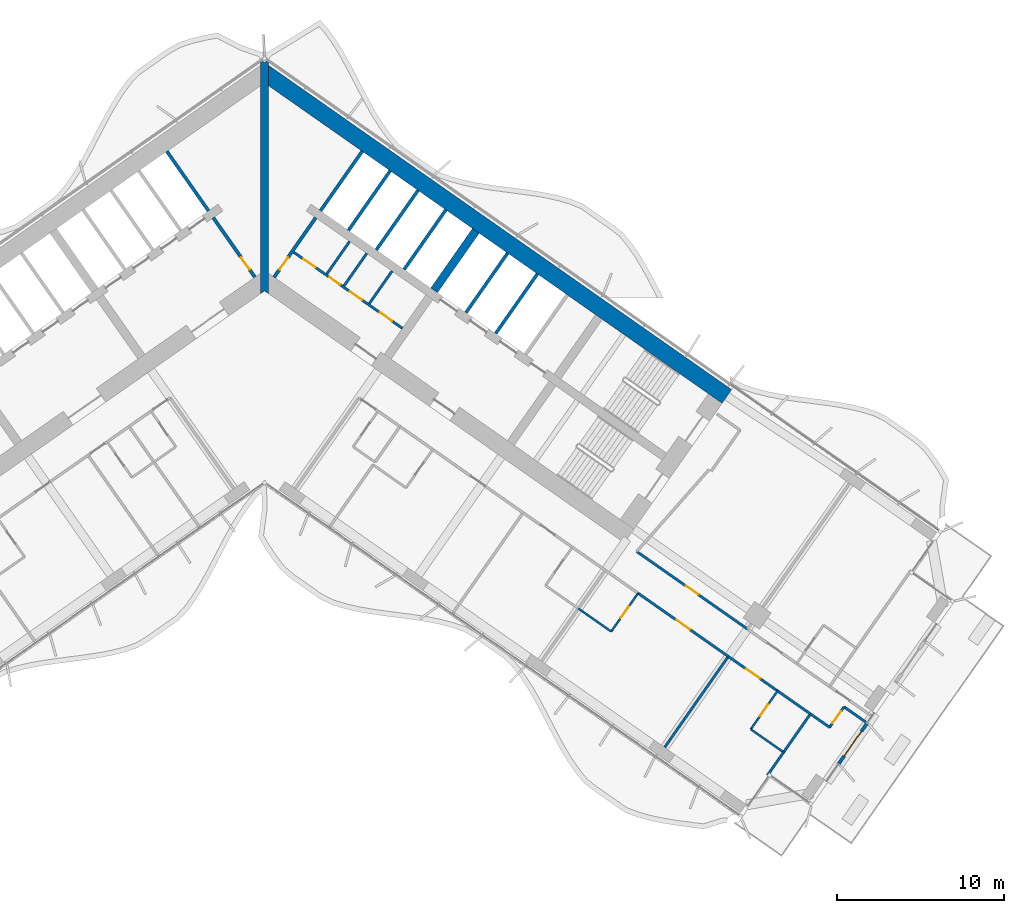
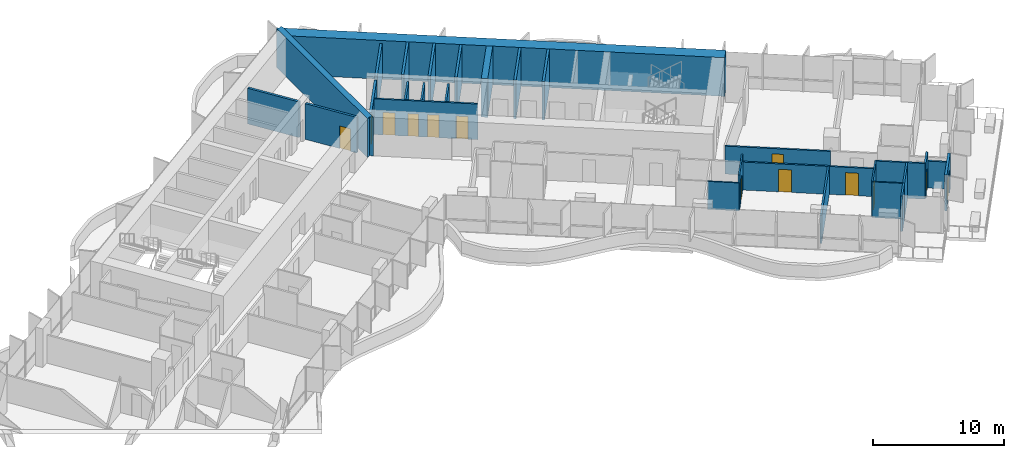
# One storey, part 16 of 25: 31 walls, 13 doors, 13 openings.
"""IFC4 building model written with IfcOpenShell, lengths in metres."""

from ifc_helpers import new_model, si_unit, direction, frame, frame_2d, origin, place, context, subcontext, project, spatial, polyline, rectangle, outline, extrude, material, layer, layer_set, type_object, element, fill, save


model = new_model("IFC4")

# Units and contexts
model_context = context("Model", 3, precision=1e-05, world=origin(), true_north=direction((0.0, 1.0)))
body_context = subcontext(model_context, "Body", "Model", "MODEL_VIEW")
ifc_project = project(units=[si_unit("LENGTHUNIT", "METRE"), si_unit("AREAUNIT", "SQUARE_METRE"), si_unit("VOLUMEUNIT", "CUBIC_METRE"), si_unit("PLANEANGLEUNIT", "RADIAN"), si_unit("MASSUNIT", "GRAM", prefix="KILO")], contexts=[model_context])

# Site, building, storey
site_placement = place(None, origin())
site = spatial("IfcSite", under=ifc_project, at=site_placement, CompositionType="ELEMENT")
building_placement = place(site_placement, origin())
building = spatial("IfcBuilding", under=site, at=building_placement, Name="Tel Ilan Convention Tower", CompositionType="ELEMENT")
storey_placement = place(building_placement, frame((0.0, 0.0, 76.10009765625)))
storey = spatial("IfcBuildingStorey", under=building, at=storey_placement, Name="L14", CompositionType="ELEMENT", Elevation=76.10009765625)

# Wall, openings, doors
ifc_material_1 = material(Name="Gypsum Plasterboard on Steel Stud", Category="steel")
ifc_layer_1 = layer(ifc_material_1, 0.14990234375)
ifc_layer_set_1 = layer_set([ifc_layer_1], Name="Core Room Partition Wall 150 mm EI 60")
wall_type_1 = type_object("IfcWallType", Name="Core Room Partition Wall 150 mm EI 60", PredefinedType="PARTITIONING", material=ifc_layer_set_1)
wall_1_placement = place(storey_placement, frame((1.7451171875, 1.097412109375, 0.0), z_axis=(0.0, 0.0, 1.0), x_axis=(0.819156890572, -0.573569515079, 0.0)))
wall_1 = element("IfcWall", 1, at=wall_1_placement, inside=storey, type_object=wall_type_1, Name="L14 core wall wc-h1", PredefinedType="PARTITIONING", context=body_context, shape_type="SweptSolid", body=[
    extrude(rectangle(XDim=7.949951171875, YDim=0.14990234375, at=frame_2d((3.97509765625, 0.0))), origin(), (0.0, 0.0, 1.0), 3.31982421875),
])
opening_1_placement = place(wall_1_placement, frame((0.699951171875, 0.0, 0.0)))
opening_1 = element("IfcOpeningElement", 2, at=opening_1_placement, cuts=wall_1, Name="Opening CD1410", PredefinedType="OPENING", context=body_context, shape_type="SweptSolid", body=[
    extrude(rectangle(XDim=0.89990234375, YDim=2.10009765625, at=frame_2d((0.449951171875, 1.050048828125))), frame((0.0, 0.0849609375, 0.0), z_axis=(0.0, -1.0, 0.0), x_axis=(1.0, 0.0, 0.0)), (0.0, 0.0, 1.0), 0.169921875),
])
opening_2_placement = place(wall_1_placement, frame((2.60009765625, 0.0, 0.0)))
opening_2 = element("IfcOpeningElement", 3, at=opening_2_placement, cuts=wall_1, Name="Opening CD1409", PredefinedType="OPENING", context=body_context, shape_type="SweptSolid", body=[
    extrude(rectangle(XDim=0.800048828125, YDim=2.10009765625, at=frame_2d((0.39990234375, 1.050048828125))), frame((0.0, 0.0849609375, 0.0), z_axis=(0.0, -1.0, 0.0), x_axis=(1.0, 0.0, 0.0)), (0.0, 0.0, 1.0), 0.169921875),
])
opening_3_placement = place(wall_1_placement, frame((4.10009765625, 0.0, 0.0)))
opening_3 = element("IfcOpeningElement", 4, at=opening_3_placement, cuts=wall_1, Name="Opening CD1408", PredefinedType="OPENING", context=body_context, shape_type="SweptSolid", body=[
    extrude(rectangle(XDim=0.89990234375, YDim=2.10009765625, at=frame_2d((0.449951171875, 1.050048828125))), frame((0.0, 0.0849609375, 0.0), z_axis=(0.0, -1.0, 0.0), x_axis=(1.0, 0.0, 0.0)), (0.0, 0.0, 1.0), 0.169921875),
])
opening_4_placement = place(wall_1_placement, frame((6.300048828125, 0.0, 0.0)))
opening_4 = element("IfcOpeningElement", 5, at=opening_4_placement, cuts=wall_1, Name="Opening CD1411", PredefinedType="OPENING", context=body_context, shape_type="SweptSolid", body=[
    extrude(rectangle(XDim=0.89990234375, YDim=2.10009765625, at=frame_2d((0.449951171875, 1.050048828125))), frame((0.0, 0.0849609375, 0.0), z_axis=(0.0, -1.0, 0.0), x_axis=(1.0, 0.0, 0.0)), (0.0, 0.0, 1.0), 0.169921875),
])
ifc_material_2 = material(Name="Galvanised Steel Door Leaf", Category="steel")
door_type_1 = type_object("IfcDoorType", Name="Store Door 800 x 2100 FD60", OperationType="NOTDEFINED", PredefinedType="DOOR", material=ifc_material_2)
door_1_placement = place(opening_2_placement, origin())
door_1 = element("IfcDoor", 6, at=door_1_placement, inside=storey, type_object=door_type_1, Name="Cleaner's store door", OperationType="SINGLE_SWING_RIGHT", OverallHeight=2.10009765625, OverallWidth=0.800048828125, PredefinedType="DOOR", context=body_context, shape_type="SweptSolid", body=[
    extrude(rectangle(XDim=0.800048828125, YDim=2.10009765625, at=frame_2d((0.39990234375, 1.050048828125))), frame((0.0, 0.02490234375, 0.0), z_axis=(0.0, -1.0, 0.0), x_axis=(1.0, 0.0, 0.0)), (0.0, 0.0, 1.0), 0.050048828125),
])
fill(opening_2, door_1)
ifc_material_3 = material(Name="Laminated Timber Door Leaf", Category="wood")
door_type_2 = type_object("IfcDoorType", Name="Toilet Door 900 x 2100 FD30S", OperationType="NOTDEFINED", PredefinedType="DOOR", material=ifc_material_3)
door_2_placement = place(opening_1_placement, origin())
door_2 = element("IfcDoor", 7, at=door_2_placement, inside=storey, type_object=door_type_2, Name="Men's WC door", OperationType="SINGLE_SWING_RIGHT", OverallHeight=2.10009765625, OverallWidth=0.89990234375, PredefinedType="DOOR", context=body_context, shape_type="SweptSolid", body=[
    extrude(rectangle(XDim=0.89990234375, YDim=2.10009765625, at=frame_2d((0.449951171875, 1.050048828125))), frame((0.0, 0.02490234375, 0.0), z_axis=(0.0, -1.0, 0.0), x_axis=(1.0, 0.0, 0.0)), (0.0, 0.0, 1.0), 0.050048828125),
])
fill(opening_1, door_2)
door_3_placement = place(opening_3_placement, origin())
door_3 = element("IfcDoor", 8, at=door_3_placement, inside=storey, type_object=door_type_2, Name="Accessible WC door", OperationType="SINGLE_SWING_RIGHT", OverallHeight=2.10009765625, OverallWidth=0.89990234375, PredefinedType="DOOR", context=body_context, shape_type="SweptSolid", body=[
    extrude(rectangle(XDim=0.89990234375, YDim=2.10009765625, at=frame_2d((0.449951171875, 1.050048828125))), frame((0.0, 0.02490234375, 0.0), z_axis=(0.0, -1.0, 0.0), x_axis=(1.0, 0.0, 0.0)), (0.0, 0.0, 1.0), 0.050048828125),
])
fill(opening_3, door_3)
door_4_placement = place(opening_4_placement, origin())
door_4 = element("IfcDoor", 9, at=door_4_placement, inside=storey, type_object=door_type_2, Name="Women's WC door", OperationType="SINGLE_SWING_RIGHT", OverallHeight=2.10009765625, OverallWidth=0.89990234375, PredefinedType="DOOR", context=body_context, shape_type="SweptSolid", body=[
    extrude(rectangle(XDim=0.89990234375, YDim=2.10009765625, at=frame_2d((0.449951171875, 1.050048828125))), frame((0.0, 0.02490234375, 0.0), z_axis=(0.0, -1.0, 0.0), x_axis=(1.0, 0.0, 0.0)), (0.0, 0.0, 1.0), 0.050048828125),
])
fill(opening_4, door_4)

# Walls
for number, where, z_axis, x_axis, name in (
    (10, (3.733642578125, -0.203369140625, 0.0), (0.0, 0.0, 1.0), (0.573579618003, 0.819149816463, 0.0), "L14 core wall wc-v0"),
    (11, (4.757568359375, -0.92041015625, 0.0), (0.0, 0.0, 1.0), (0.573579618003, 0.819149816463, 0.0), "L14 core wall wc-v1"),
    (12, (6.27294921875, -1.9814453125, 0.0), (0.0, 0.0, 1.0), (0.573579618003, 0.819149816463, 0.0), "L14 core wall wc-v2"),
):
    element("IfcWall", number, at=place(storey_placement, frame(where, z_axis=z_axis, x_axis=x_axis)), inside=storey, type_object=wall_type_1, Name=name, PredefinedType="PARTITIONING", context=body_context, shape_type="SweptSolid", body=[
        extrude(rectangle(XDim=2.375, YDim=0.14990234375, at=frame_2d((1.1875, 0.0))), origin(), (0.0, 0.0, 1.0), 3.31982421875),
    ])

# Wall, opening, door
ifc_material_4 = material(Name="Concrete C30/37", Category="concrete")
ifc_layer_2 = layer(ifc_material_4, 0.199951171875)
ifc_layer_set_2 = layer_set([ifc_layer_2], Name="Core Service Room Wall 200 mm C30/37")
wall_type_2 = type_object("IfcWallType", Name="Core Service Room Wall 200 mm C30/37", PredefinedType="SOLIDWALL", material=ifc_layer_set_2)
wall_2_placement = place(storey_placement, frame((-0.573486328125, -0.401611328125, 0.0), z_axis=(0.0, 0.0, 1.0), x_axis=(-0.57356780395, 0.819158088694, 0.0)))
wall_2 = element("IfcWall", 13, at=wall_2_placement, inside=storey, type_object=wall_type_2, Name="L14 core wall apex-W", PredefinedType="SOLIDWALL", context=body_context, shape_type="SweptSolid", body=[
    extrude(rectangle(XDim=4.35009765625, YDim=0.199951171875, at=frame_2d((2.175048828125, 0.0))), origin(), (0.0, 0.0, 1.0), 3.31982421875),
])
opening_5_placement = place(wall_2_placement, frame((0.550048828125, 0.0, 0.0)))
opening_5 = element("IfcOpeningElement", 14, at=opening_5_placement, cuts=wall_2, Name="Opening CD1402", PredefinedType="OPENING", context=body_context, shape_type="SweptSolid", body=[
    extrude(rectangle(XDim=0.89990234375, YDim=2.10009765625, at=frame_2d((0.449951171875, 1.050048828125))), frame((0.0, 0.10986328125, 0.0), z_axis=(0.0, -1.0, 0.0), x_axis=(1.0, 0.0, 0.0)), (0.0, 0.0, 1.0), 0.219970703125),
])
ifc_material_5 = material(Name="Galvanised Steel Door Leaf", Category="steel")
door_type_3 = type_object("IfcDoorType", Name="Service Room Door 900 x 2100 FD60", OperationType="NOTDEFINED", PredefinedType="DOOR", material=ifc_material_5)
door_5_placement = place(opening_5_placement, origin())
door_5 = element("IfcDoor", 15, at=door_5_placement, inside=storey, type_object=door_type_3, Name="Riser Room door", OperationType="SINGLE_SWING_RIGHT", OverallHeight=2.10009765625, OverallWidth=0.89990234375, PredefinedType="DOOR", context=body_context, shape_type="SweptSolid", body=[
    extrude(rectangle(XDim=0.89990234375, YDim=2.10009765625, at=frame_2d((0.449951171875, 1.050048828125))), frame((0.0, 0.02490234375, 0.0), z_axis=(0.0, -1.0, 0.0), x_axis=(1.0, 0.0, 0.0)), (0.0, 0.0, 1.0), 0.050048828125),
])
fill(opening_5, door_5)

# Wall
wall_3_placement = place(storey_placement, frame((-3.355224609375, 3.5712890625, 0.0), z_axis=(0.0, 0.0, 1.0), x_axis=(-0.57356780395, 0.819158088694, 0.0)))
element("IfcWall", 16, at=wall_3_placement, inside=storey, type_object=wall_type_2, Name="L14 core wall apex-W-b", PredefinedType="SOLIDWALL", context=body_context, shape_type="SweptSolid", body=[
    extrude(rectangle(XDim=4.35009765625, YDim=0.199951171875, at=frame_2d((2.175048828125, 0.0))), origin(), (0.0, 0.0, 1.0), 3.31982421875),
])

# Wall, opening, door
wall_4_placement = place(storey_placement, frame((0.573486328125, -0.401611328125, 0.0), z_axis=(0.0, 0.0, 1.0), x_axis=(0.57356780395, 0.819158088694, 0.0)))
wall_4 = element("IfcWall", 17, at=wall_4_placement, inside=storey, type_object=wall_type_2, Name="L14 core wall apex-E", PredefinedType="SOLIDWALL", context=body_context, shape_type="SweptSolid", body=[
    extrude(rectangle(XDim=4.35009765625, YDim=0.199951171875, at=frame_2d((2.175048828125, 0.0))), origin(), (0.0, 0.0, 1.0), 3.31982421875),
])
opening_6_placement = place(wall_4_placement, frame((0.550048828125, 0.0, 0.0)))
opening_6 = element("IfcOpeningElement", 18, at=opening_6_placement, cuts=wall_4, Name="Opening CD1401", PredefinedType="OPENING", context=body_context, shape_type="SweptSolid", body=[
    extrude(rectangle(XDim=0.89990234375, YDim=2.10009765625, at=frame_2d((0.449951171875, 1.050048828125))), frame((0.0, 0.10986328125, 0.0), z_axis=(0.0, -1.0, 0.0), x_axis=(1.0, 0.0, 0.0)), (0.0, 0.0, 1.0), 0.219970703125),
])
door_6_placement = place(opening_6_placement, origin())
door_6 = element("IfcDoor", 19, at=door_6_placement, inside=storey, type_object=door_type_3, Name="Electrical Room door", OperationType="SINGLE_SWING_RIGHT", OverallHeight=2.10009765625, OverallWidth=0.89990234375, PredefinedType="DOOR", context=body_context, shape_type="SweptSolid", body=[
    extrude(rectangle(XDim=0.89990234375, YDim=2.10009765625, at=frame_2d((0.449951171875, 1.050048828125))), frame((0.0, 0.02490234375, 0.0), z_axis=(0.0, -1.0, 0.0), x_axis=(1.0, 0.0, 0.0)), (0.0, 0.0, 1.0), 0.050048828125),
])
fill(opening_6, door_6)

# Walls
wall_5_placement = place(storey_placement, frame((3.355224609375, 3.5712890625, 0.0), z_axis=(0.0, 0.0, 1.0), x_axis=(0.57356780395, 0.819158088694, 0.0)))
element("IfcWall", 20, at=wall_5_placement, inside=storey, type_object=wall_type_2, Name="L14 core wall apex-E-b", PredefinedType="SOLIDWALL", context=body_context, shape_type="SweptSolid", body=[
    extrude(rectangle(XDim=4.35009765625, YDim=0.199951171875, at=frame_2d((2.175048828125, 0.0))), origin(), (0.0, 0.0, 1.0), 3.31982421875),
])
ifc_material_6 = material(Name="Concrete C60/75", Category="concrete")
ifc_layer_3 = layer(ifc_material_6, 1.0)
ifc_layer_set_3 = layer_set([ifc_layer_3], Name="Core Shear Wall 1000 mm C60/75")
wall_type_3 = type_object("IfcWallType", Name="Core Shear Wall 1000 mm C60/75", PredefinedType="SHEAR", material=ifc_layer_set_3)
wall_6_placement = place(storey_placement, frame((-0.036865234375, 11.8671875, 0.0), z_axis=(0.0, 0.0, 1.0), x_axis=(0.819155306259, -0.573571777746, 0.0)))
element("IfcWall", 21, at=wall_6_placement, inside=storey, type_object=wall_type_3, Name="L14 core wall E-back", PredefinedType="SHEAR", context=body_context, shape_type="SweptSolid", body=[
    extrude(outline(polyline([(33.8369140625, 0.5), (0.0, 0.5), (0.7001953125, -0.499755859375), (33.8369140625, -0.5), (33.8369140625, 0.5)])), origin(), (0.0, 0.0, 1.0), 3.599853515625),
])
ifc_material_7 = material(Name="Concrete C60/75", Category="concrete")
ifc_layer_4 = layer(ifc_material_7, 0.5)
ifc_layer_set_4 = layer_set([ifc_layer_4], Name="Core Shear Wall 500 mm C60/75")
wall_type_4 = type_object("IfcWallType", Name="Core Shear Wall 500 mm C60/75", PredefinedType="SHEAR", material=ifc_layer_set_4)
wall_7_placement = place(storey_placement, frame((10.154296875, -1.189208984375, 0.0), z_axis=(0.0, 0.0, 1.0), x_axis=(0.573594173421, 0.819139624372, 0.0)))
element("IfcWall", 22, at=wall_7_placement, inside=storey, type_object=wall_type_4, Name="L14 core wall E-cross1-2", PredefinedType="SHEAR", context=body_context, shape_type="SweptSolid", body=[
    extrude(outline(polyline([(4.349853515625, -0.25), (4.349853515625, 0.25), (-0.000244140625, 0.25), (-0.000244140625, -0.25), (4.349853515625, -0.25)])), origin(), (0.0, 0.0, 1.0), 3.599853515625),
])
wall_8_placement = place(storey_placement, frame((0.0, -1.395751953125, 0.0), z_axis=(0.0, 0.0, 1.0), x_axis=(0.0, 1.0, 0.0)))
element("IfcWall", 23, at=wall_8_placement, inside=storey, type_object=wall_type_4, Name="L14 core wall K-central", PredefinedType="SHEAR", context=body_context, shape_type="SweptSolid", body=[
    extrude(outline(polyline([(0.0, -0.25), (0.175048828125, -0.25), (1.220703125, -0.25), (12.451904296875, -0.25), (13.84765625, -0.25), (13.85693359375, -0.25), (13.96826171875, -0.172119140625), (13.84765625, 0.0), (13.96826171875, 0.172119140625), (13.85693359375, 0.25), (13.84765625, 0.25), (12.451904296875, 0.25), (1.220703125, 0.25), (0.175048828125, 0.25), (0.0, 0.25), (0.175048828125, 0.0), (0.0, -0.25)])), origin(), (0.0, 0.0, 1.0), 3.599853515625),
])

# Wall, opening, door
ifc_material_8 = material(Name="Plasterboard on Steel Studs", Category="steel")
ifc_layer_5 = layer(ifc_material_8, 0.14990234375)
ifc_layer_set_5 = layer_set([ifc_layer_5], Name="Fire-rated Partition 150 EI 60")
wall_type_5 = type_object("IfcWallType", Name="Fire-rated Partition 150 EI 60", PredefinedType="PARTITIONING", material=ifc_layer_set_5)
wall_9_placement = place(storey_placement, frame((22.28369140625, -16.823974609375, 0.0), z_axis=(0.0, 0.0, 1.0), x_axis=(0.819152599934, -0.573575642807, 0.0)))
wall_9 = element("IfcWall", 24, at=wall_9_placement, inside=storey, type_object=wall_type_5, Name="Partition 001", PredefinedType="PARTITIONING", context=body_context, shape_type="SweptSolid", body=[
    extrude(rectangle(XDim=8.098388671875, YDim=0.14990234375, at=frame_2d((4.04931640625, 0.0))), origin(), (0.0, 0.0, 1.0), 2.599853515625),
])
opening_7_placement = place(wall_9_placement, frame((3.59912109375, 0.0, 0.0)))
opening_7 = element("IfcOpeningElement", 25, at=opening_7_placement, cuts=wall_9, Name="Opening L14-032", PredefinedType="OPENING", context=body_context, shape_type="SweptSolid", body=[
    extrude(rectangle(XDim=0.89990234375, YDim=2.10009765625, at=frame_2d((0.449951171875, 1.050048828125))), frame((0.0, 0.0849609375, 0.0), z_axis=(0.0, -1.0, 0.0), x_axis=(1.0, 0.0, 0.0)), (0.0, 0.0, 1.0), 0.169921875),
])
ifc_material_9 = material(Name="Timber Door Leaf in Steel Frame", Category="steel")
door_type_4 = type_object("IfcDoorType", Name="Room Fire Door 900x2100", OperationType="NOTDEFINED", PredefinedType="DOOR", material=ifc_material_9)
door_7_placement = place(opening_7_placement, origin())
door_7 = element("IfcDoor", 26, at=door_7_placement, inside=storey, type_object=door_type_4, Name="Door L14-032", OperationType="SINGLE_SWING_RIGHT", OverallHeight=2.10009765625, OverallWidth=0.89990234375, PredefinedType="DOOR", context=body_context, shape_type="SweptSolid", body=[
    extrude(rectangle(XDim=0.89990234375, YDim=2.10009765625, at=frame_2d((0.449951171875, 1.050048828125))), frame((0.0, 0.02490234375, 0.0), z_axis=(0.0, -1.0, 0.0), x_axis=(1.0, 0.0, 0.0)), (0.0, 0.0, 1.0), 0.050048828125),
])
fill(opening_7, door_7)

wall_10_placement = place(storey_placement, frame((27.7705078125, -23.107421875, 0.0), z_axis=(0.0, 0.0, 1.0), x_axis=(-0.819153746897, 0.573574004767, 0.0)))
wall_10 = element("IfcWall", 27, at=wall_10_placement, inside=storey, type_object=wall_type_5, Name="Partition 011", PredefinedType="PARTITIONING", context=body_context, shape_type="SweptSolid", body=[
    extrude(rectangle(XDim=6.60302734375, YDim=0.14990234375, at=frame_2d((3.301513671875, 0.0))), origin(), (0.0, 0.0, 1.0), 2.599853515625),
])
opening_8_placement = place(wall_10_placement, frame((2.802001953125, 0.0, 0.0)))
opening_8 = element("IfcOpeningElement", 28, at=opening_8_placement, cuts=wall_10, Name="Opening L14-028", PredefinedType="OPENING", context=body_context, shape_type="SweptSolid", body=[
    extrude(rectangle(XDim=1.0, YDim=2.10009765625, at=frame_2d((0.5, 1.050048828125))), frame((0.0, 0.0849609375, 0.0), z_axis=(0.0, -1.0, 0.0), x_axis=(1.0, 0.0, 0.0)), (0.0, 0.0, 1.0), 0.169921875),
])
ifc_material_10 = material(Name="Timber Door Leaf in Steel Frame", Category="steel")
door_type_5 = type_object("IfcDoorType", Name="Hotel Room Entrance Fire Door 1000x2100", OperationType="NOTDEFINED", PredefinedType="DOOR", material=ifc_material_10)
door_8_placement = place(opening_8_placement, origin())
door_8 = element("IfcDoor", 29, at=door_8_placement, inside=storey, type_object=door_type_5, Name="Door L14-028", OperationType="SINGLE_SWING_LEFT", OverallHeight=2.10009765625, OverallWidth=1.0, PredefinedType="DOOR", context=body_context, shape_type="SweptSolid", body=[
    extrude(rectangle(XDim=1.0, YDim=2.10009765625, at=frame_2d((0.5, 1.050048828125))), frame((0.0, 0.02490234375, 0.0), z_axis=(0.0, -1.0, 0.0), x_axis=(1.0, 0.0, 0.0)), (0.0, 0.0, 1.0), 0.050048828125),
])
fill(opening_8, door_8)

wall_11_placement = place(storey_placement, frame((30.718505859375, -25.171630859375, 0.0), z_axis=(0.0, 0.0, 1.0), x_axis=(-0.819145961204, 0.573585123798, 0.0)))
wall_11 = element("IfcWall", 30, at=wall_11_placement, inside=storey, type_object=wall_type_5, Name="Partition 013", PredefinedType="PARTITIONING", context=body_context, shape_type="SweptSolid", body=[
    extrude(rectangle(XDim=3.60302734375, YDim=0.14990234375, at=frame_2d((1.801513671875, 0.0))), origin(), (0.0, 0.0, 1.0), 2.599853515625),
])
opening_9_placement = place(wall_11_placement, frame((1.301025390625, 0.0, 0.0)))
opening_9 = element("IfcOpeningElement", 31, at=opening_9_placement, cuts=wall_11, Name="Opening L14-030", PredefinedType="OPENING", context=body_context, shape_type="SweptSolid", body=[
    extrude(rectangle(XDim=1.0, YDim=2.10009765625, at=frame_2d((0.5, 1.050048828125))), frame((0.0, 0.0849609375, 0.0), z_axis=(0.0, -1.0, 0.0), x_axis=(1.0, 0.0, 0.0)), (0.0, 0.0, 1.0), 0.169921875),
])
door_9_placement = place(opening_9_placement, origin())
door_9 = element("IfcDoor", 32, at=door_9_placement, inside=storey, type_object=door_type_5, Name="Door L14-030", OperationType="SINGLE_SWING_RIGHT", OverallHeight=2.10009765625, OverallWidth=1.0, PredefinedType="DOOR", context=body_context, shape_type="SweptSolid", body=[
    extrude(rectangle(XDim=1.0, YDim=2.10009765625, at=frame_2d((0.5, 1.050048828125))), frame((0.0, 0.02490234375, 0.0), z_axis=(0.0, -1.0, 0.0), x_axis=(1.0, 0.0, 0.0)), (0.0, 0.0, 1.0), 0.050048828125),
])
fill(opening_9, door_9)

# Walls
wall_12_placement = place(storey_placement, frame((32.685302734375, -26.548828125, 0.0), z_axis=(0.0, 0.0, 1.0), x_axis=(-0.819146032251, 0.573585022335, 0.0)))
element("IfcWall", 33, at=wall_12_placement, inside=storey, type_object=wall_type_5, Name="Partition 014", PredefinedType="PARTITIONING", context=body_context, shape_type="SweptSolid", body=[
    extrude(rectangle(XDim=2.404052734375, YDim=0.14990234375, at=frame_2d((1.2021484375, 0.0))), origin(), (0.0, 0.0, 1.0), 3.31982421875),
])
wall_13_placement = place(storey_placement, frame((36.00146484375, -27.039794921875, 0.0), z_axis=(0.0, 0.0, 1.0), x_axis=(-0.819059844958, 0.573708088123, 0.0)))
element("IfcWall", 34, at=wall_13_placement, inside=storey, type_object=wall_type_5, Name="Partition 015", PredefinedType="PARTITIONING", context=body_context, shape_type="SweptSolid", body=[
    extrude(rectangle(XDim=1.60009765625, YDim=0.14990234375, at=frame_2d((0.800048828125, 0.0))), origin(), (0.0, 0.0, 1.0), 2.5),
])

# Wall, opening, door
wall_14_placement = place(storey_placement, frame((34.69091796875, -26.121826171875, 0.0), z_axis=(0.0, 0.0, 1.0), x_axis=(-0.573669850876, -0.819086626796, 0.0)))
wall_14 = element("IfcWall", 35, at=wall_14_placement, inside=storey, type_object=wall_type_5, Name="Partition 016", PredefinedType="PARTITIONING", context=body_context, shape_type="SweptSolid", body=[
    extrude(rectangle(XDim=1.500244140625, YDim=0.14990234375, at=frame_2d((0.75, 0.0))), origin(), (0.0, 0.0, 1.0), 3.31982421875),
])
opening_10_placement = place(wall_14_placement, frame((0.300048828125, 0.0, 0.0)))
opening_10 = element("IfcOpeningElement", 36, at=opening_10_placement, cuts=wall_14, Name="Opening L14-031", PredefinedType="OPENING", context=body_context, shape_type="SweptSolid", body=[
    extrude(rectangle(XDim=0.89990234375, YDim=2.10009765625, at=frame_2d((0.449951171875, 1.050048828125))), frame((0.0, 0.0849609375, 0.0), z_axis=(0.0, -1.0, 0.0), x_axis=(1.0, 0.0, 0.0)), (0.0, 0.0, 1.0), 0.169921875),
])
door_10_placement = place(opening_10_placement, origin())
door_10 = element("IfcDoor", 37, at=door_10_placement, inside=storey, type_object=door_type_4, Name="Door L14-031", OperationType="SINGLE_SWING_RIGHT", OverallHeight=2.10009765625, OverallWidth=0.89990234375, PredefinedType="DOOR", context=body_context, shape_type="SweptSolid", body=[
    extrude(rectangle(XDim=0.89990234375, YDim=2.10009765625, at=frame_2d((0.449951171875, 1.050048828125))), frame((0.0, 0.02490234375, 0.0), z_axis=(0.0, -1.0, 0.0), x_axis=(1.0, 0.0, 0.0)), (0.0, 0.0, 1.0), 0.050048828125),
])
fill(opening_10, door_10)

# Walls
wall_15_placement = place(storey_placement, frame((33.830322265625, -27.3505859375, 0.0), z_axis=(0.0, 0.0, 1.0), x_axis=(-0.819133738125, 0.573602579375, 0.0)))
element("IfcWall", 38, at=wall_15_placement, inside=storey, type_object=wall_type_5, Name="Partition 017", PredefinedType="PARTITIONING", context=body_context, shape_type="SweptSolid", body=[
    extrude(rectangle(XDim=1.402099609375, YDim=0.14990234375, at=frame_2d((0.701171875, 0.0))), origin(), (0.0, 0.0, 1.0), 3.31982421875),
])
wall_16_placement = place(storey_placement, frame((27.768798828125, -23.106201171875, 0.0), z_axis=(0.0, 0.0, 1.0), x_axis=(-0.57359826181, -0.819136761505, 0.0)))
element("IfcWall", 39, at=wall_16_placement, inside=storey, type_object=wall_type_5, Name="Partition 061", PredefinedType="PARTITIONING", context=body_context, shape_type="SweptSolid", body=[
    extrude(rectangle(XDim=6.630126953125, YDim=0.14990234375, at=frame_2d((3.31494140625, 0.0))), origin(), (0.0, 0.0, 1.0), 2.599853515625),
])
wall_17_placement = place(storey_placement, frame((31.0771484375, -28.842041015625, 0.0), z_axis=(0.0, 0.0, 1.0), x_axis=(-0.573597175316, -0.819137522318, 0.0)))
element("IfcWall", 40, at=wall_17_placement, inside=storey, type_object=wall_type_5, Name="Partition 064", PredefinedType="PARTITIONING", context=body_context, shape_type="SweptSolid", body=[
    extrude(rectangle(XDim=1.701171875, YDim=0.14990234375, at=frame_2d((0.8505859375, 0.0))), origin(), (0.0, 0.0, 1.0), 3.31982421875),
])
wall_18_placement = place(storey_placement, frame((32.68359375, -26.547607421875, 0.0), z_axis=(0.0, 0.0, 1.0), x_axis=(-0.573550118428, -0.819170471667, 0.0)))
element("IfcWall", 41, at=wall_18_placement, inside=storey, type_object=wall_type_5, Name="Partition 065", PredefinedType="PARTITIONING", context=body_context, shape_type="SweptSolid", body=[
    extrude(rectangle(XDim=2.800048828125, YDim=0.14990234375, at=frame_2d((1.39990234375, 0.0))), origin(), (0.0, 0.0, 1.0), 3.31982421875),
])
ifc_material_11 = material(Name="Concrete C30/37", Category="concrete")
ifc_layer_6 = layer(ifc_material_11, 0.199951171875)
ifc_layer_set_6 = layer_set([ifc_layer_6], Name="Lift Shaft Wall 200 mm C30/37")
wall_type_6 = type_object("IfcWallType", Name="Lift Shaft Wall 200 mm C30/37", PredefinedType="SOLIDWALL", material=ifc_layer_set_6)
wall_19_placement = place(storey_placement, frame((5.0244140625, 2.402587890625, 0.0), z_axis=(0.0, 0.0, 1.0), x_axis=(0.573530143085, 0.819184457233, 0.0)))
element("IfcWall", 42, at=wall_19_placement, inside=storey, type_object=wall_type_6, Name="L14 core wall bank-E1-p0", PredefinedType="SOLIDWALL", context=body_context, shape_type="SweptSolid", body=[
    extrude(rectangle(XDim=4.35009765625, YDim=0.199951171875, at=frame_2d((2.175048828125, 0.0))), origin(), (0.0, 0.0, 1.0), 3.599853515625),
])
for number, where, z_axis, x_axis, name in (
    (43, (6.693359375, 1.234130859375, 0.0), (0.0, 0.0, 1.0), (0.573594173421, 0.819139624372, 0.0), "L14 core wall bank-E1-p1"),
    (44, (8.3623046875, 0.0654296875, 0.0), (0.0, 0.0, 1.0), (0.573594173421, 0.819139624372, 0.0), "L14 core wall bank-E1-p2"),
    (45, (12.05859375, -2.52294921875, 0.0), (0.0, 0.0, 1.0), (0.573594173421, 0.819139624372, 0.0), "L14 core wall bank-E2-p0"),
):
    element("IfcWall", number, at=place(storey_placement, frame(where, z_axis=z_axis, x_axis=x_axis)), inside=storey, type_object=wall_type_6, Name=name, PredefinedType="SOLIDWALL", context=body_context, shape_type="SweptSolid", body=[
        extrude(rectangle(XDim=4.349853515625, YDim=0.199951171875, at=frame_2d((2.1748046875, 0.0))), origin(), (0.0, 0.0, 1.0), 3.599853515625),
    ])
wall_20_placement = place(storey_placement, frame((13.84033203125, -3.7705078125, 0.0), z_axis=(0.0, 0.0, 1.0), x_axis=(0.57356780395, 0.819158088694, 0.0)))
element("IfcWall", 46, at=wall_20_placement, inside=storey, type_object=wall_type_6, Name="L14 core wall bank-E2-p1", PredefinedType="SOLIDWALL", context=body_context, shape_type="SweptSolid", body=[
    extrude(rectangle(XDim=4.35009765625, YDim=0.199951171875, at=frame_2d((2.175048828125, 0.0))), origin(), (0.0, 0.0, 1.0), 3.599853515625),
])
ifc_material_12 = material(Name="Plasterboard on Steel Studs", Category="steel")
ifc_layer_7 = layer(ifc_material_12, 0.1201171875)
ifc_layer_set_7 = layer_set([ifc_layer_7], Name="Moisture-resistant Partition 120")
wall_type_7 = type_object("IfcWallType", Name="Moisture-resistant Partition 120", PredefinedType="PARTITIONING", material=ifc_layer_set_7)
wall_21_placement = place(storey_placement, frame((18.789794921875, -20.238525390625, 0.0), z_axis=(0.0, 0.0, 1.0), x_axis=(0.819188907105, -0.573523787192, 0.0)))
element("IfcWall", 47, at=wall_21_placement, inside=storey, type_object=wall_type_7, Name="Partition 059", PredefinedType="PARTITIONING", context=body_context, shape_type="SweptSolid", body=[
    extrude(rectangle(XDim=2.39990234375, YDim=0.1201171875, at=frame_2d((1.199951171875, 0.0))), origin(), (0.0, 0.0, 1.0), 2.599853515625),
])

# Wall, opening, door
wall_22_placement = place(storey_placement, frame((20.757080078125, -21.61474609375, 0.0), z_axis=(0.0, 0.0, 1.0), x_axis=(0.57364959175, 0.819100815459, 0.0)))
wall_22 = element("IfcWall", 48, at=wall_22_placement, inside=storey, type_object=wall_type_7, Name="Partition 060", PredefinedType="PARTITIONING", context=body_context, shape_type="SweptSolid", body=[
    extrude(rectangle(XDim=2.800048828125, YDim=0.1201171875, at=frame_2d((1.39990234375, 0.0))), origin(), (0.0, 0.0, 1.0), 3.31982421875),
])
opening_11_placement = place(wall_22_placement, frame((0.97509765625, 0.0, 0.0)))
opening_11 = element("IfcOpeningElement", 49, at=opening_11_placement, cuts=wall_22, Name="Opening L14-027", PredefinedType="OPENING", context=body_context, shape_type="SweptSolid", body=[
    extrude(rectangle(XDim=0.85009765625, YDim=2.050048828125, at=frame_2d((0.425048828125, 1.02490234375))), frame((0.0, 0.070068359375, 0.0), z_axis=(0.0, -1.0, 0.0), x_axis=(1.0, 0.0, 0.0)), (0.0, 0.0, 1.0), 0.14013671875),
])
ifc_material_13 = material(Name="Timber Door Leaf in Steel Frame", Category="steel")
door_type_6 = type_object("IfcDoorType", Name="Bathroom Timber Door 850x2050", OperationType="NOTDEFINED", PredefinedType="DOOR", material=ifc_material_13)
door_11_placement = place(opening_11_placement, origin())
door_11 = element("IfcDoor", 50, at=door_11_placement, inside=storey, type_object=door_type_6, Name="Door L14-027", OperationType="SINGLE_SWING_LEFT", OverallHeight=2.050048828125, OverallWidth=0.85009765625, PredefinedType="DOOR", context=body_context, shape_type="SweptSolid", body=[
    extrude(rectangle(XDim=0.85009765625, YDim=2.050048828125, at=frame_2d((0.425048828125, 1.02490234375))), frame((0.0, 0.02490234375, 0.0), z_axis=(0.0, -1.0, 0.0), x_axis=(1.0, 0.0, 0.0)), (0.0, 0.0, 1.0), 0.050048828125),
])
fill(opening_11, door_11)

wall_23_placement = place(storey_placement, frame((30.716796875, -25.17041015625, 0.0), z_axis=(0.0, 0.0, 1.0), x_axis=(-0.573550118428, -0.819170471667, 0.0)))
wall_23 = element("IfcWall", 51, at=wall_23_placement, inside=storey, type_object=wall_type_7, Name="Partition 062", PredefinedType="PARTITIONING", context=body_context, shape_type="SweptSolid", body=[
    extrude(rectangle(XDim=2.800048828125, YDim=0.1201171875, at=frame_2d((1.39990234375, 0.0))), origin(), (0.0, 0.0, 1.0), 3.31982421875),
])
opening_12_placement = place(wall_23_placement, frame((0.97509765625, 0.0, 0.0)))
opening_12 = element("IfcOpeningElement", 52, at=opening_12_placement, cuts=wall_23, Name="Opening L14-029", PredefinedType="OPENING", context=body_context, shape_type="SweptSolid", body=[
    extrude(rectangle(XDim=0.85009765625, YDim=2.050048828125, at=frame_2d((0.425048828125, 1.02490234375))), frame((0.0, 0.070068359375, 0.0), z_axis=(0.0, -1.0, 0.0), x_axis=(1.0, 0.0, 0.0)), (0.0, 0.0, 1.0), 0.14013671875),
])
door_12_placement = place(opening_12_placement, origin())
door_12 = element("IfcDoor", 53, at=door_12_placement, inside=storey, type_object=door_type_6, Name="Door L14-029", OperationType="SINGLE_SWING_LEFT", OverallHeight=2.050048828125, OverallWidth=0.85009765625, PredefinedType="DOOR", context=body_context, shape_type="SweptSolid", body=[
    extrude(rectangle(XDim=0.85009765625, YDim=2.050048828125, at=frame_2d((0.425048828125, 1.02490234375))), frame((0.0, 0.02490234375, 0.0), z_axis=(0.0, -1.0, 0.0), x_axis=(1.0, 0.0, 0.0)), (0.0, 0.0, 1.0), 0.050048828125),
])
fill(opening_12, door_12)

# Wall
wall_24_placement = place(storey_placement, frame((29.111083984375, -27.465576171875, 0.0), z_axis=(0.0, 0.0, 1.0), x_axis=(0.819188907105, -0.573523787192, 0.0)))
element("IfcWall", 54, at=wall_24_placement, inside=storey, type_object=wall_type_7, Name="Partition 063", PredefinedType="PARTITIONING", context=body_context, shape_type="SweptSolid", body=[
    extrude(rectangle(XDim=2.39990234375, YDim=0.1201171875, at=frame_2d((1.199951171875, 0.0))), origin(), (0.0, 0.0, 1.0), 3.31982421875),
])

# Wall, opening, door
ifc_material_14 = material(Name="Aluminium composite cladding, bronze anodised on steel studs", Category="steel")
ifc_layer_8 = layer(ifc_material_14, 0.199951171875)
ifc_layer_set_8 = layer_set([ifc_layer_8], Name="TERRACE DOOR BAY WALL 200")
wall_type_8 = type_object("IfcWallType", Name="TERRACE DOOR BAY WALL 200", PredefinedType="SOLIDWALL", material=ifc_layer_set_8)
wall_25_placement = place(storey_placement, frame((34.3798828125, -29.52978515625, 0.0), z_axis=(0.0, 0.0, 1.0), x_axis=(0.573584953252, 0.819146080625, 0.0)))
wall_25 = element("IfcWall", 55, at=wall_25_placement, inside=storey, type_object=wall_type_8, Name="Terrace door bay", PredefinedType="SOLIDWALL", context=body_context, shape_type="SweptSolid", body=[
    extrude(rectangle(XDim=2.93994140625, YDim=0.199951171875, at=frame_2d((1.469970703125, 0.0))), origin(), (0.0, 0.0, 1.0), 3.31982421875),
])
opening_13_placement = place(wall_25_placement, frame((0.570068359375, 0.0, 0.0)))
opening_13 = element("IfcOpeningElement", 56, at=opening_13_placement, cuts=wall_25, Name="Opening T14.01", PredefinedType="OPENING", context=body_context, shape_type="SweptSolid", body=[
    extrude(rectangle(XDim=1.800048828125, YDim=2.39990234375, at=frame_2d((0.89990234375, 1.199951171875))), frame((0.0, 0.10986328125, 0.0), z_axis=(0.0, -1.0, 0.0), x_axis=(1.0, 0.0, 0.0)), (0.0, 0.0, 1.0), 0.219970703125),
])
ifc_material_15 = material(Name="Aluminium framed glazed door, bronze anodised", Category="aluminium")
door_type_7 = type_object("IfcDoorType", Name="TERRACE DOUBLE DOOR 1800x2400", OperationType="NOTDEFINED", PredefinedType="DOOR", material=ifc_material_15)
door_13_placement = place(opening_13_placement, origin())
door_13 = element("IfcDoor", 57, at=door_13_placement, inside=storey, type_object=door_type_7, Name="Terrace door", OperationType="DOUBLE_DOOR_DOUBLE_SWING", OverallHeight=2.39990234375, OverallWidth=1.800048828125, PredefinedType="DOOR", context=body_context, shape_type="SweptSolid", body=[
    extrude(rectangle(XDim=1.800048828125, YDim=2.39990234375, at=frame_2d((0.89990234375, 1.199951171875))), frame((0.0, 0.02490234375, 0.0), z_axis=(0.0, -1.0, 0.0), x_axis=(1.0, 0.0, 0.0)), (0.0, 0.0, 1.0), 0.050048828125),
])
fill(opening_13, door_13)

save(model, "model.ifc")
